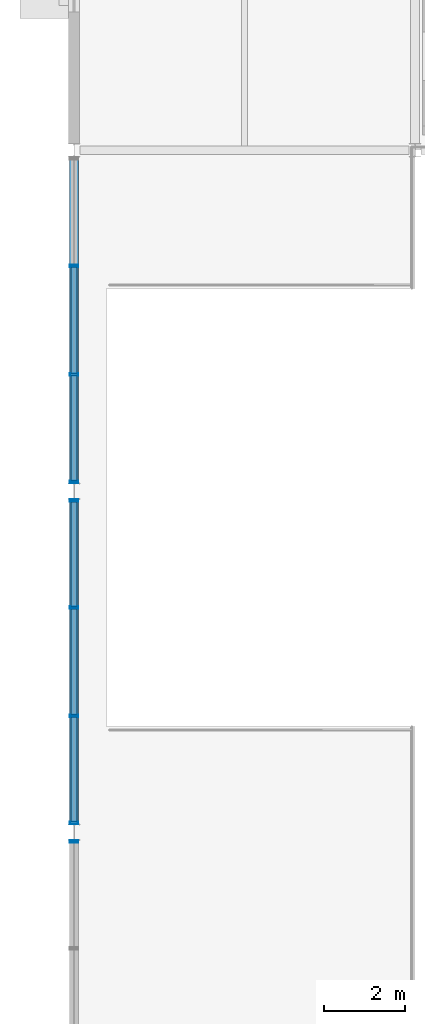
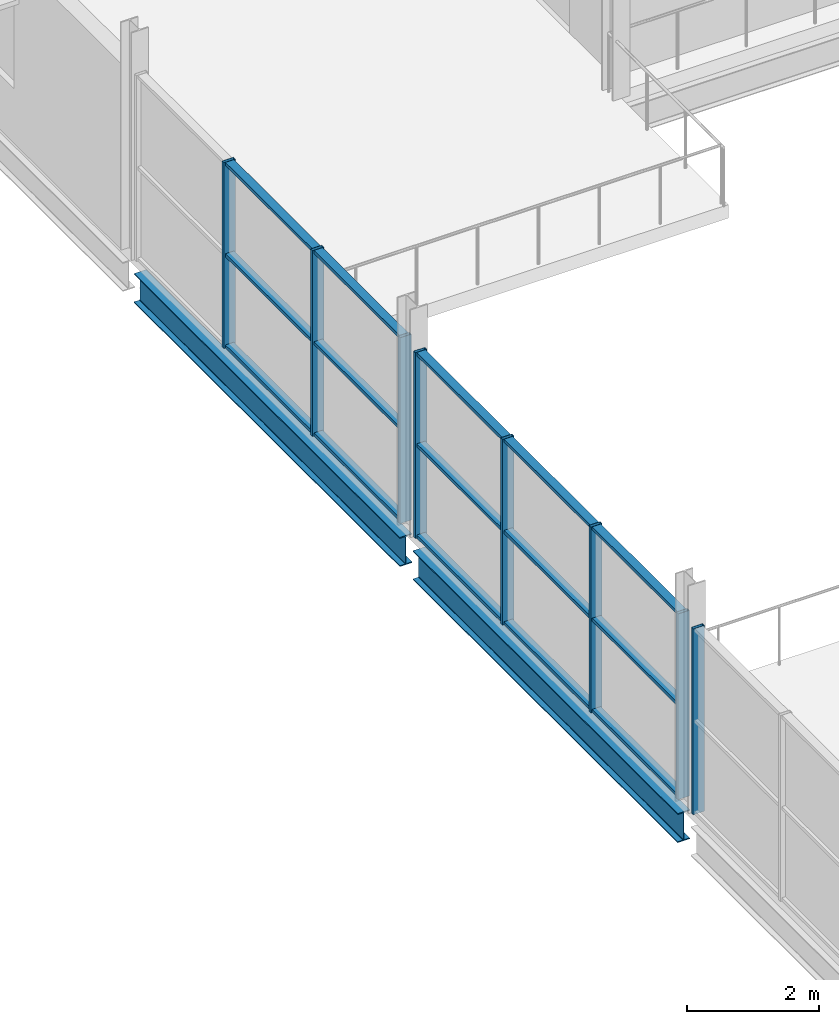
# One storey, part 18 of 68: 23 members, 2 beams, 3 elements without a shape of their own.
"""IFC4 building model written with IfcOpenShell, lengths in metres."""

from ifc_helpers import new_model, si_unit, direction, frame, origin, origin_2d, place, context, subcontext, project, spatial, hollow_rectangle, i_section, extrude, material, material_profile, profile_set, type_object, element, aggregate, save


model = new_model("IFC4")

# Units and contexts
model_context = context("Model", 3, precision=1e-05, world=origin(), true_north=direction((0.0, 1.0)))
body_context = subcontext(model_context, "Body", "Model", "MODEL_VIEW")
ifc_project = project(units=[si_unit("LENGTHUNIT", "METRE"), si_unit("AREAUNIT", "SQUARE_METRE"), si_unit("VOLUMEUNIT", "CUBIC_METRE"), si_unit("PLANEANGLEUNIT", "RADIAN"), si_unit("MASSUNIT", "GRAM", prefix="KILO"), si_unit("THERMODYNAMICTEMPERATUREUNIT", "KELVIN")], contexts=[model_context])

# Site, building, storey
site_placement = place(None, origin())
site = spatial("IfcSite", under=ifc_project, at=site_placement, CompositionType="ELEMENT")
building_placement = place(site_placement, origin())
building = spatial("IfcBuilding", under=site, at=building_placement, Name="Nduvali Passage Aquatics Centre", CompositionType="ELEMENT")
storey_placement = place(building_placement, frame((0.0, 0.0, 13.199951171875)))
storey = spatial("IfcBuildingStorey", under=building, at=storey_placement, Name="L03", CompositionType="ELEMENT", Elevation=13.199951171875)

# Curtain wall, member
ifc_material_1 = material(Name="Aluminium EN AW-6063 T6", Category="aluminium")
curtain_wall_type = type_object("IfcCurtainWallType", Name="ENV-CW-DIVE", PredefinedType="NOTDEFINED", material=ifc_material_1)
curtain_wall_1_placement = place(storey_placement, origin())
curtain_wall_1 = element("IfcCurtainWall", 1, at=curtain_wall_1_placement, inside=storey, type_object=curtain_wall_type, Name="L03 West Diving 10m Tower Clerestory CW 135", PredefinedType="NOTDEFINED")
ifc_material_profile_1 = material_profile(ifc_material_1, hollow_rectangle(XDim=0.06005859375, YDim=0.199951171875, WallThickness=0.00390625, at=origin_2d()), Name="ALU MULLION 60x200x4")
ifc_profile_set_1 = profile_set([ifc_material_profile_1], Name="Aluminium EN AW-6063 T6")
member_type_1 = type_object("IfcMemberType", Name="ENV-MEM-MUL80", PredefinedType="MULLION", material=ifc_profile_set_1)
member_1_placement = place(storey_placement, frame((0.0, 58.570068359375, 0.0), z_axis=(0.0, 0.0, 1.0), x_axis=(0.0, 1.0, 0.0)))
member_1 = element("IfcMember", 2, at=member_1_placement, type_object=member_type_1, Name="West Diving 10m Tower Clerestory CW Mullion 4", PredefinedType="MULLION", context=body_context, shape_type="SweptSolid", body=[
    extrude(hollow_rectangle(XDim=0.06005859375, YDim=0.199951171875, WallThickness=0.00390625, at=origin_2d()), origin(), (0.0, 0.0, 1.0), 3.4267578125),
])
aggregate(curtain_wall_1, [member_1])

# Curtain wall, members
curtain_wall_2_placement = place(storey_placement, origin())
curtain_wall_2 = element("IfcCurtainWall", 3, at=curtain_wall_2_placement, inside=storey, type_object=curtain_wall_type, Name="L03 West Diving 10m Tower Clerestory CW 140", PredefinedType="NOTDEFINED")
member_2_placement = place(storey_placement, frame((0.0, 59.030029296875, 0.0), z_axis=(0.0, 0.0, 1.0), x_axis=(0.0, 1.0, 0.0)))
member_2 = element("IfcMember", 4, at=member_2_placement, type_object=member_type_1, Name="West Diving 10m Tower Clerestory CW Mullion 1", PredefinedType="MULLION", context=body_context, shape_type="SweptSolid", body=[
    extrude(hollow_rectangle(XDim=0.06005859375, YDim=0.199951171875, WallThickness=0.00390625, at=origin_2d()), origin(), (0.0, 0.0, 1.0), 3.4267578125),
])
member_3_placement = place(storey_placement, frame((0.0, 61.666748046875, 0.0), z_axis=(0.0, 0.0, 1.0), x_axis=(0.0, 1.0, 0.0)))
member_3 = element("IfcMember", 5, at=member_3_placement, type_object=member_type_1, Name="West Diving 10m Tower Clerestory CW Mullion 2", PredefinedType="MULLION", context=body_context, shape_type="SweptSolid", body=[
    extrude(hollow_rectangle(XDim=0.06005859375, YDim=0.199951171875, WallThickness=0.00390625, at=origin_2d()), origin(), (0.0, 0.0, 1.0), 3.4267578125),
])
member_4_placement = place(storey_placement, frame((0.0, 64.333251953125, 0.0), z_axis=(0.0, 0.0, 1.0), x_axis=(0.0, 1.0, 0.0)))
member_4 = element("IfcMember", 6, at=member_4_placement, type_object=member_type_1, Name="West Diving 10m Tower Clerestory CW Mullion 3", PredefinedType="MULLION", context=body_context, shape_type="SweptSolid", body=[
    extrude(hollow_rectangle(XDim=0.06005859375, YDim=0.199951171875, WallThickness=0.00390625, at=origin_2d()), origin(), (0.0, 0.0, 1.0), 3.4267578125),
])
member_5_placement = place(storey_placement, frame((0.0, 66.969970703125, 0.0), z_axis=(0.0, 0.0, 1.0), x_axis=(0.0, 1.0, 0.0)))
member_5 = element("IfcMember", 7, at=member_5_placement, type_object=member_type_1, Name="West Diving 10m Tower Clerestory CW Mullion 4", PredefinedType="MULLION", context=body_context, shape_type="SweptSolid", body=[
    extrude(hollow_rectangle(XDim=0.06005859375, YDim=0.199951171875, WallThickness=0.00390625, at=origin_2d()), origin(), (0.0, 0.0, 1.0), 3.4267578125),
])

curtain_wall_3_placement = place(storey_placement, origin())
curtain_wall_3 = element("IfcCurtainWall", 8, at=curtain_wall_3_placement, inside=storey, type_object=curtain_wall_type, Name="L03 West Diving 10m Tower Clerestory CW 145", PredefinedType="NOTDEFINED")
member_6_placement = place(storey_placement, frame((0.0, 67.429931640625, 0.0), z_axis=(0.0, 0.0, 1.0), x_axis=(0.0, 1.0, 0.0)))
member_6 = element("IfcMember", 9, at=member_6_placement, type_object=member_type_1, Name="West Diving 10m Tower Clerestory CW Mullion 1", PredefinedType="MULLION", context=body_context, shape_type="SweptSolid", body=[
    extrude(hollow_rectangle(XDim=0.06005859375, YDim=0.199951171875, WallThickness=0.00390625, at=origin_2d()), origin(), (0.0, 0.0, 1.0), 3.4267578125),
])
member_7_placement = place(storey_placement, frame((0.0, 70.07666015625, 0.0), z_axis=(0.0, 0.0, 1.0), x_axis=(0.0, 1.0, 0.0)))
member_7 = element("IfcMember", 10, at=member_7_placement, type_object=member_type_1, Name="West Diving 10m Tower Clerestory CW Mullion 2", PredefinedType="MULLION", context=body_context, shape_type="SweptSolid", body=[
    extrude(hollow_rectangle(XDim=0.06005859375, YDim=0.199951171875, WallThickness=0.00390625, at=origin_2d()), origin(), (0.0, 0.0, 1.0), 3.4267578125),
])
member_8_placement = place(storey_placement, frame((0.0, 72.75341796875, 0.0), z_axis=(0.0, 0.0, 1.0), x_axis=(0.0, 1.0, 0.0)))
member_8 = element("IfcMember", 11, at=member_8_placement, type_object=member_type_1, Name="West Diving 10m Tower Clerestory CW Mullion 3", PredefinedType="MULLION", context=body_context, shape_type="SweptSolid", body=[
    extrude(hollow_rectangle(XDim=0.06005859375, YDim=0.199951171875, WallThickness=0.00390625, at=origin_2d()), origin(), (0.0, 0.0, 1.0), 3.4267578125),
])

# Member
ifc_material_profile_2 = material_profile(ifc_material_1, hollow_rectangle(XDim=0.14990234375, YDim=0.06005859375, WallThickness=0.00390625, at=origin_2d()), Name="ALU TRANSOM 150x60x4")
ifc_profile_set_2 = profile_set([ifc_material_profile_2], Name="Aluminium EN AW-6063 T6")
member_type_2 = type_object("IfcMemberType", Name="ENV-MEM-TRN80", PredefinedType="USERDEFINED", material=ifc_profile_set_2)
member_9_placement = place(storey_placement, frame((0.0, 59.06005859375, 0.030029296875), z_axis=(0.0, 1.0, 0.0), x_axis=(-1.0, 0.0, 0.0)))
member_9 = element("IfcMember", 12, at=member_9_placement, type_object=member_type_2, Name="West Diving 10m Tower Clerestory CW Transom B1-R0", ObjectType="TRANSOM", PredefinedType="USERDEFINED", context=body_context, shape_type="SweptSolid", body=[
    extrude(hollow_rectangle(XDim=0.14990234375, YDim=0.06005859375, WallThickness=0.00390625, at=origin_2d()), origin(), (0.0, 0.0, 1.0), 2.57666015625),
])

member_10_placement = place(storey_placement, frame((0.0, 59.06005859375, 1.71337890625), z_axis=(0.0, 1.0, 0.0), x_axis=(-1.0, 0.0, 0.0)))
member_10 = element("IfcMember", 13, at=member_10_placement, type_object=member_type_2, Name="West Diving 10m Tower Clerestory CW Transom B1-R1", ObjectType="TRANSOM", PredefinedType="USERDEFINED", context=body_context, shape_type="SweptSolid", body=[
    extrude(hollow_rectangle(XDim=0.14990234375, YDim=0.06005859375, WallThickness=0.00390625, at=origin_2d()), origin(), (0.0, 0.0, 1.0), 2.57666015625),
])

member_11_placement = place(storey_placement, frame((0.0, 59.06005859375, 3.396728515625), z_axis=(0.0, 1.0, 0.0), x_axis=(-1.0, 0.0, 0.0)))
member_11 = element("IfcMember", 14, at=member_11_placement, type_object=member_type_2, Name="West Diving 10m Tower Clerestory CW Transom B1-R2", ObjectType="TRANSOM", PredefinedType="USERDEFINED", context=body_context, shape_type="SweptSolid", body=[
    extrude(hollow_rectangle(XDim=0.14990234375, YDim=0.06005859375, WallThickness=0.00390625, at=origin_2d()), origin(), (0.0, 0.0, 1.0), 2.57666015625),
])

member_12_placement = place(storey_placement, frame((0.0, 61.69677734375, 0.030029296875), z_axis=(0.0, 1.0, 0.0), x_axis=(-1.0, 0.0, 0.0)))
member_12 = element("IfcMember", 15, at=member_12_placement, type_object=member_type_2, Name="West Diving 10m Tower Clerestory CW Transom B2-R0", ObjectType="TRANSOM", PredefinedType="USERDEFINED", context=body_context, shape_type="SweptSolid", body=[
    extrude(hollow_rectangle(XDim=0.14990234375, YDim=0.06005859375, WallThickness=0.00390625, at=origin_2d()), origin(), (0.0, 0.0, 1.0), 2.6064453125),
])

member_13_placement = place(storey_placement, frame((0.0, 61.69677734375, 1.71337890625), z_axis=(0.0, 1.0, 0.0), x_axis=(-1.0, 0.0, 0.0)))
member_13 = element("IfcMember", 16, at=member_13_placement, type_object=member_type_2, Name="West Diving 10m Tower Clerestory CW Transom B2-R1", ObjectType="TRANSOM", PredefinedType="USERDEFINED", context=body_context, shape_type="SweptSolid", body=[
    extrude(hollow_rectangle(XDim=0.14990234375, YDim=0.06005859375, WallThickness=0.00390625, at=origin_2d()), origin(), (0.0, 0.0, 1.0), 2.6064453125),
])

member_14_placement = place(storey_placement, frame((0.0, 61.69677734375, 3.396728515625), z_axis=(0.0, 1.0, 0.0), x_axis=(-1.0, 0.0, 0.0)))
member_14 = element("IfcMember", 17, at=member_14_placement, type_object=member_type_2, Name="West Diving 10m Tower Clerestory CW Transom B2-R2", ObjectType="TRANSOM", PredefinedType="USERDEFINED", context=body_context, shape_type="SweptSolid", body=[
    extrude(hollow_rectangle(XDim=0.14990234375, YDim=0.06005859375, WallThickness=0.00390625, at=origin_2d()), origin(), (0.0, 0.0, 1.0), 2.6064453125),
])

member_15_placement = place(storey_placement, frame((0.0, 64.36328125, 0.030029296875), z_axis=(0.0, 1.0, 0.0), x_axis=(-1.0, 0.0, 0.0)))
member_15 = element("IfcMember", 18, at=member_15_placement, type_object=member_type_2, Name="West Diving 10m Tower Clerestory CW Transom B3-R0", ObjectType="TRANSOM", PredefinedType="USERDEFINED", context=body_context, shape_type="SweptSolid", body=[
    extrude(hollow_rectangle(XDim=0.14990234375, YDim=0.06005859375, WallThickness=0.00390625, at=origin_2d()), origin(), (0.0, 0.0, 1.0), 2.57666015625),
])

member_16_placement = place(storey_placement, frame((0.0, 64.36328125, 1.71337890625), z_axis=(0.0, 1.0, 0.0), x_axis=(-1.0, 0.0, 0.0)))
member_16 = element("IfcMember", 19, at=member_16_placement, type_object=member_type_2, Name="West Diving 10m Tower Clerestory CW Transom B3-R1", ObjectType="TRANSOM", PredefinedType="USERDEFINED", context=body_context, shape_type="SweptSolid", body=[
    extrude(hollow_rectangle(XDim=0.14990234375, YDim=0.06005859375, WallThickness=0.00390625, at=origin_2d()), origin(), (0.0, 0.0, 1.0), 2.57666015625),
])

member_17_placement = place(storey_placement, frame((0.0, 64.36328125, 3.396728515625), z_axis=(0.0, 1.0, 0.0), x_axis=(-1.0, 0.0, 0.0)))
member_17 = element("IfcMember", 20, at=member_17_placement, type_object=member_type_2, Name="West Diving 10m Tower Clerestory CW Transom B3-R2", ObjectType="TRANSOM", PredefinedType="USERDEFINED", context=body_context, shape_type="SweptSolid", body=[
    extrude(hollow_rectangle(XDim=0.14990234375, YDim=0.06005859375, WallThickness=0.00390625, at=origin_2d()), origin(), (0.0, 0.0, 1.0), 2.57666015625),
])

aggregate(curtain_wall_2, [member_2, member_3, member_4, member_5, member_9, member_10, member_11, member_12, member_13, member_14, member_15, member_16, member_17])

member_18_placement = place(storey_placement, frame((0.0, 67.4599609375, 0.030029296875), z_axis=(0.0, 1.0, 0.0), x_axis=(-1.0, 0.0, 0.0)))
member_18 = element("IfcMember", 21, at=member_18_placement, type_object=member_type_2, Name="West Diving 10m Tower Clerestory CW Transom B1-R0", ObjectType="TRANSOM", PredefinedType="USERDEFINED", context=body_context, shape_type="SweptSolid", body=[
    extrude(hollow_rectangle(XDim=0.14990234375, YDim=0.06005859375, WallThickness=0.00390625, at=origin_2d()), origin(), (0.0, 0.0, 1.0), 2.586669921875),
])

member_19_placement = place(storey_placement, frame((0.0, 67.4599609375, 1.71337890625), z_axis=(0.0, 1.0, 0.0), x_axis=(-1.0, 0.0, 0.0)))
member_19 = element("IfcMember", 22, at=member_19_placement, type_object=member_type_2, Name="West Diving 10m Tower Clerestory CW Transom B1-R1", ObjectType="TRANSOM", PredefinedType="USERDEFINED", context=body_context, shape_type="SweptSolid", body=[
    extrude(hollow_rectangle(XDim=0.14990234375, YDim=0.06005859375, WallThickness=0.00390625, at=origin_2d()), origin(), (0.0, 0.0, 1.0), 2.586669921875),
])

member_20_placement = place(storey_placement, frame((0.0, 67.4599609375, 3.396728515625), z_axis=(0.0, 1.0, 0.0), x_axis=(-1.0, 0.0, 0.0)))
member_20 = element("IfcMember", 23, at=member_20_placement, type_object=member_type_2, Name="West Diving 10m Tower Clerestory CW Transom B1-R2", ObjectType="TRANSOM", PredefinedType="USERDEFINED", context=body_context, shape_type="SweptSolid", body=[
    extrude(hollow_rectangle(XDim=0.14990234375, YDim=0.06005859375, WallThickness=0.00390625, at=origin_2d()), origin(), (0.0, 0.0, 1.0), 2.586669921875),
])

member_21_placement = place(storey_placement, frame((0.0, 70.106689453125, 0.030029296875), z_axis=(0.0, 1.0, 0.0), x_axis=(-1.0, 0.0, 0.0)))
member_21 = element("IfcMember", 24, at=member_21_placement, type_object=member_type_2, Name="West Diving 10m Tower Clerestory CW Transom B2-R0", ObjectType="TRANSOM", PredefinedType="USERDEFINED", context=body_context, shape_type="SweptSolid", body=[
    extrude(hollow_rectangle(XDim=0.14990234375, YDim=0.06005859375, WallThickness=0.00390625, at=origin_2d()), origin(), (0.0, 0.0, 1.0), 2.61669921875),
])

member_22_placement = place(storey_placement, frame((0.0, 70.106689453125, 1.71337890625), z_axis=(0.0, 1.0, 0.0), x_axis=(-1.0, 0.0, 0.0)))
member_22 = element("IfcMember", 25, at=member_22_placement, type_object=member_type_2, Name="West Diving 10m Tower Clerestory CW Transom B2-R1", ObjectType="TRANSOM", PredefinedType="USERDEFINED", context=body_context, shape_type="SweptSolid", body=[
    extrude(hollow_rectangle(XDim=0.14990234375, YDim=0.06005859375, WallThickness=0.00390625, at=origin_2d()), origin(), (0.0, 0.0, 1.0), 2.61669921875),
])

member_23_placement = place(storey_placement, frame((0.0, 70.106689453125, 3.396728515625), z_axis=(0.0, 1.0, 0.0), x_axis=(-1.0, 0.0, 0.0)))
member_23 = element("IfcMember", 26, at=member_23_placement, type_object=member_type_2, Name="West Diving 10m Tower Clerestory CW Transom B2-R2", ObjectType="TRANSOM", PredefinedType="USERDEFINED", context=body_context, shape_type="SweptSolid", body=[
    extrude(hollow_rectangle(XDim=0.14990234375, YDim=0.06005859375, WallThickness=0.00390625, at=origin_2d()), origin(), (0.0, 0.0, 1.0), 2.61669921875),
])

aggregate(curtain_wall_3, [member_6, member_7, member_8, member_18, member_19, member_20, member_21, member_22, member_23])

# Beams
ifc_material_2 = material(Name="Steel S355", Category="steel")
ifc_material_profile_3 = material_profile(ifc_material_2, i_section(OverallWidth=0.210693359375, OverallDepth=0.53955078125, WebThickness=0.01171875, FlangeThickness=0.018798828125, FilletRadius=0.0126953125, at=origin_2d()), Name="UKB 533x210x109")
ifc_profile_set_3 = profile_set([ifc_material_profile_3], Name="Steel S355")
beam_type = type_object("IfcBeamType", Name="STR-BM-UKB533-EXT", PredefinedType="BEAM", material=ifc_profile_set_3)
beam_1_placement = place(storey_placement, frame((0.0, 59.0, -0.523681640625), z_axis=(0.0, 1.0, 0.0), x_axis=(-1.0, 0.0, 0.0)))
element("IfcBeam", 27, at=beam_1_placement, inside=storey, type_object=beam_type, Name="L03 Primary Y-Girder B6E-1242", PredefinedType="BEAM", context=body_context, shape_type="SweptSolid", body=[
    extrude(i_section(OverallWidth=0.210693359375, OverallDepth=0.53955078125, WebThickness=0.01171875, FlangeThickness=0.018798828125, FilletRadius=0.0126953125, at=origin_2d()), origin(), (0.0, 0.0, 1.0), 8.0),
])
beam_2_placement = place(storey_placement, frame((0.0, 67.39990234375, -0.523681640625), z_axis=(0.0, 1.0, 0.0), x_axis=(-1.0, 0.0, 0.0)))
element("IfcBeam", 28, at=beam_2_placement, inside=storey, type_object=beam_type, Name="L03 Primary Y-Girder B6E-1243", PredefinedType="BEAM", context=body_context, shape_type="SweptSolid", body=[
    extrude(i_section(OverallWidth=0.210693359375, OverallDepth=0.53955078125, WebThickness=0.01171875, FlangeThickness=0.018798828125, FilletRadius=0.0126953125, at=origin_2d()), origin(), (0.0, 0.0, 1.0), 8.030029296875),
])

save(model, "model.ifc")
